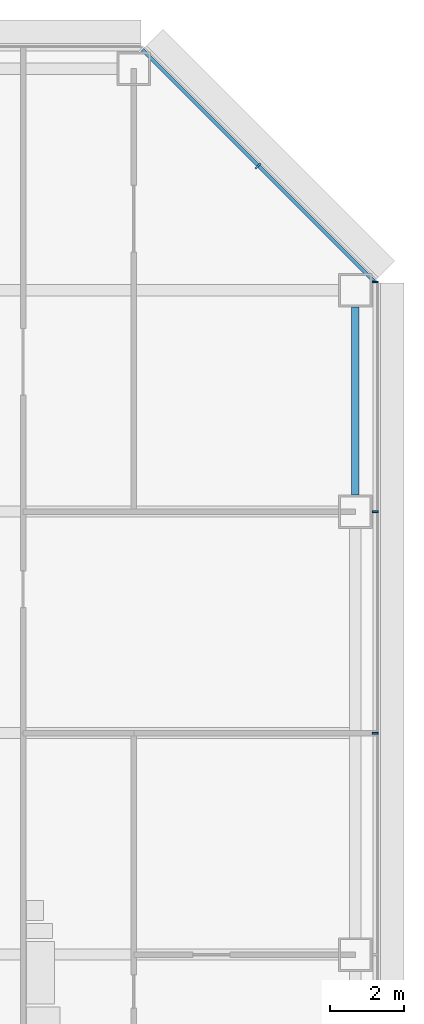
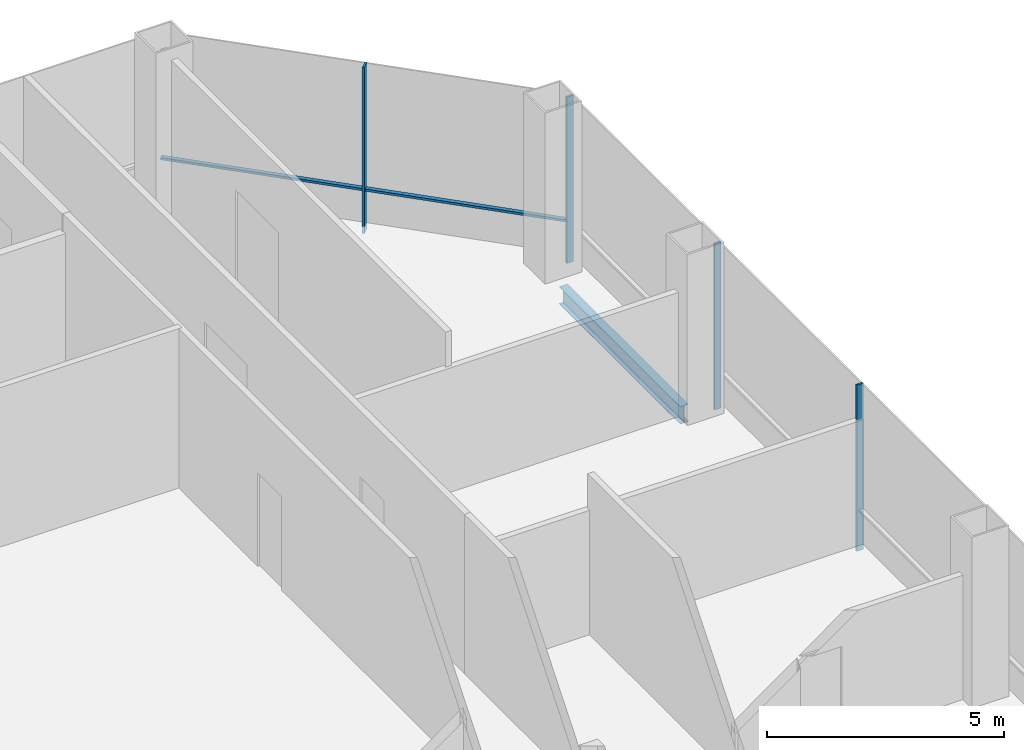
# One storey, part 18 of 27: 5 members, 1 beam, 2 elements without a shape of their own.
"""IFC4 building model written with IfcOpenShell, lengths in metres."""

from ifc_helpers import new_model, si_unit, direction, frame, origin, origin_2d, place, context, subcontext, project, spatial, rectangle, i_section, extrude, material, material_profile, profile_set, type_object, element, aggregate, save


model = new_model("IFC4")

# Units and contexts
model_context = context("Model", 3, precision=1e-05, world=origin(), true_north=direction((0.0, 1.0)))
body_context = subcontext(model_context, "Body", "Model", "MODEL_VIEW")
ifc_project = project(units=[si_unit("LENGTHUNIT", "METRE"), si_unit("AREAUNIT", "SQUARE_METRE"), si_unit("VOLUMEUNIT", "CUBIC_METRE"), si_unit("PLANEANGLEUNIT", "RADIAN"), si_unit("MASSUNIT", "GRAM", prefix="KILO")], contexts=[model_context])

# Site, building, storey
site_placement = place(None, origin())
site = spatial("IfcSite", under=ifc_project, at=site_placement, CompositionType="ELEMENT")
building_placement = place(site_placement, origin())
building = spatial("IfcBuilding", under=site, at=building_placement, Name="Sorahane Residences", CompositionType="ELEMENT")
storey_placement = place(building_placement, frame((0.0, 0.0, 85.800048828125)))
storey = spatial("IfcBuildingStorey", under=building, at=storey_placement, Name="L18", CompositionType="ELEMENT", Elevation=85.800048828125)

# Curtain wall, members
ifc_material_1 = material(Name="Dark low-e glass and black anodised aluminium", Category="aluminium")
curtain_wall_type_1 = type_object("IfcCurtainWallType", Name="Curtain wall CW-1 Typical unitised wall", PredefinedType="NOTDEFINED", material=ifc_material_1)
curtain_wall_1_placement = place(storey_placement, origin())
curtain_wall_1 = element("IfcCurtainWall", 1, at=curtain_wall_1_placement, inside=storey, type_object=curtain_wall_type_1, Name="CW-1 curtain wall L18 E1", PredefinedType="NOTDEFINED")
ifc_material_2 = material(Name="Black anodised aluminium", Category="aluminium")
ifc_material_profile_1 = material_profile(ifc_material_2, rectangle(XDim=0.159912109375, YDim=0.050048828125, at=origin_2d()), Name="Curtain wall mullion CW-1 black anodised aluminium 50x160")
ifc_profile_set_1 = profile_set([ifc_material_profile_1], Name="Black anodised aluminium")
member_type_1 = type_object("IfcMemberType", Name="Curtain wall mullion CW-1 black anodised aluminium 50x160", PredefinedType="MULLION", material=ifc_profile_set_1)
member_1_placement = place(storey_placement, frame((66.5400390625, 30.0, -0.179931640625), z_axis=(0.0, 0.0, 1.0), x_axis=(1.0, 0.0, 0.0)))
member_1 = element("IfcMember", 2, at=member_1_placement, type_object=member_type_1, Name="CW-1 mullion L18 E1.5", PredefinedType="MULLION", context=body_context, shape_type="SweptSolid", body=[
    extrude(rectangle(XDim=0.159912109375, YDim=0.050048828125, at=origin_2d()), origin(), (0.0, 0.0, 1.0), 4.27978515625),
])
member_2_placement = place(storey_placement, frame((66.5400390625, 36.0, -0.179931640625), z_axis=(0.0, 0.0, 1.0), x_axis=(1.0, 0.0, 0.0)))
member_2 = element("IfcMember", 3, at=member_2_placement, type_object=member_type_1, Name="CW-1 mullion L18 E1.6", PredefinedType="MULLION", context=body_context, shape_type="SweptSolid", body=[
    extrude(rectangle(XDim=0.159912109375, YDim=0.050048828125, at=origin_2d()), origin(), (0.0, 0.0, 1.0), 4.27978515625),
])
member_3_placement = place(storey_placement, frame((66.5400390625, 42.2236328125, -0.179931640625), z_axis=(0.0, 0.0, 1.0), x_axis=(1.0, 0.0, 0.0)))
member_3 = element("IfcMember", 4, at=member_3_placement, type_object=member_type_1, Name="CW-1 mullion L18 E1.7", PredefinedType="MULLION", context=body_context, shape_type="SweptSolid", body=[
    extrude(rectangle(XDim=0.159912109375, YDim=0.050048828125, at=origin_2d()), origin(), (0.0, 0.0, 1.0), 4.27978515625),
])
aggregate(curtain_wall_1, [member_1, member_2, member_3])

ifc_material_3 = material(Name="Dark low-e glass and black anodised aluminium", Category="aluminium")
curtain_wall_type_2 = type_object("IfcCurtainWallType", Name="Curtain wall CW-2 Chamfer unitised wall", PredefinedType="NOTDEFINED", material=ifc_material_3)
curtain_wall_2_placement = place(storey_placement, origin())
curtain_wall_2 = element("IfcCurtainWall", 5, at=curtain_wall_2_placement, inside=storey, type_object=curtain_wall_type_2, Name="CW-2 curtain wall L18 NE1", PredefinedType="NOTDEFINED")
ifc_material_4 = material(Name="Black anodised aluminium", Category="aluminium")
ifc_material_profile_2 = material_profile(ifc_material_4, rectangle(XDim=0.199951171875, YDim=0.050048828125, at=origin_2d()), Name="Curtain wall mullion CW-2 black anodised aluminium 50x200")
ifc_profile_set_2 = profile_set([ifc_material_profile_2], Name="Black anodised aluminium")
member_type_2 = type_object("IfcMemberType", Name="Curtain wall mullion CW-2 black anodised aluminium 50x200", PredefinedType="MULLION", material=ifc_profile_set_2)
member_4_placement = place(storey_placement, frame((63.36767578125, 45.36767578125, -0.179931640625), z_axis=(0.0, 0.0, 1.0), x_axis=(0.707106781187, 0.707106781187, 0.0)))
member_4 = element("IfcMember", 6, at=member_4_placement, type_object=member_type_2, Name="CW-2 mullion L18 NE1.2", PredefinedType="MULLION", context=body_context, shape_type="SweptSolid", body=[
    extrude(rectangle(XDim=0.199951171875, YDim=0.050048828125, at=origin_2d()), origin(), (0.0, 0.0, 1.0), 4.27978515625),
])
ifc_material_5 = material(Name="Black anodised aluminium", Category="aluminium")
ifc_material_profile_3 = material_profile(ifc_material_5, rectangle(XDim=0.10009765625, YDim=0.06005859375, at=origin_2d()), Name="Curtain wall transom CW-2 black anodised aluminium 60x100")
ifc_profile_set_3 = profile_set([ifc_material_profile_3], Name="Black anodised aluminium")
member_type_3 = type_object("IfcMemberType", Name="Curtain wall transom CW-2 black anodised aluminium 60x100", PredefinedType="USERDEFINED", material=ifc_profile_set_3)
member_5_placement = place(storey_placement, frame((66.51513671875, 42.234375, 0.89990234375), z_axis=(-0.707106781187, 0.707106781187, 0.0), x_axis=(-0.707106781187, -0.707106781187, 0.0)))
member_5 = element("IfcMember", 7, at=member_5_placement, type_object=member_type_3, Name="CW-2 transom L18 NE1", ObjectType="TRANSOM", PredefinedType="USERDEFINED", context=body_context, shape_type="SweptSolid", body=[
    extrude(rectangle(XDim=0.10009765625, YDim=0.06005859375, at=origin_2d()), origin(), (0.0, 0.0, 1.0), 8.88232421875),
])
aggregate(curtain_wall_2, [member_4, member_5])

# Beam
ifc_material_6 = material(Name="Steel Q355B", Category="steel")
ifc_material_profile_4 = material_profile(ifc_material_6, i_section(OverallWidth=0.199951171875, OverallDepth=0.449951171875, WebThickness=0.009033203125, FlangeThickness=0.013916015625, FilletRadius=0.02001953125, at=origin_2d()), Name="HN 450x200x9x14")
ifc_profile_set_4 = profile_set([ifc_material_profile_4], Name="Steel Q355B")
beam_type = type_object("IfcBeamType", Name="Steel floor beam HN 450x200x9x14 Q355B", PredefinedType="BEAM", material=ifc_profile_set_4)
beam_placement = place(storey_placement, frame((66.0, 36.449951171875, -0.405029296875), z_axis=(0.0, 1.0, 0.0), x_axis=(-1.0, 0.0, 0.0)))
element("IfcBeam", 8, at=beam_placement, inside=storey, type_object=beam_type, Name="Beam L18 060", PredefinedType="BEAM", context=body_context, shape_type="SweptSolid", body=[
    extrude(i_section(OverallWidth=0.199951171875, OverallDepth=0.449951171875, WebThickness=0.009033203125, FlangeThickness=0.013916015625, FilletRadius=0.02001953125, at=origin_2d()), origin(), (0.0, 0.0, 1.0), 5.10009765625),
])

save(model, "model.ifc")
